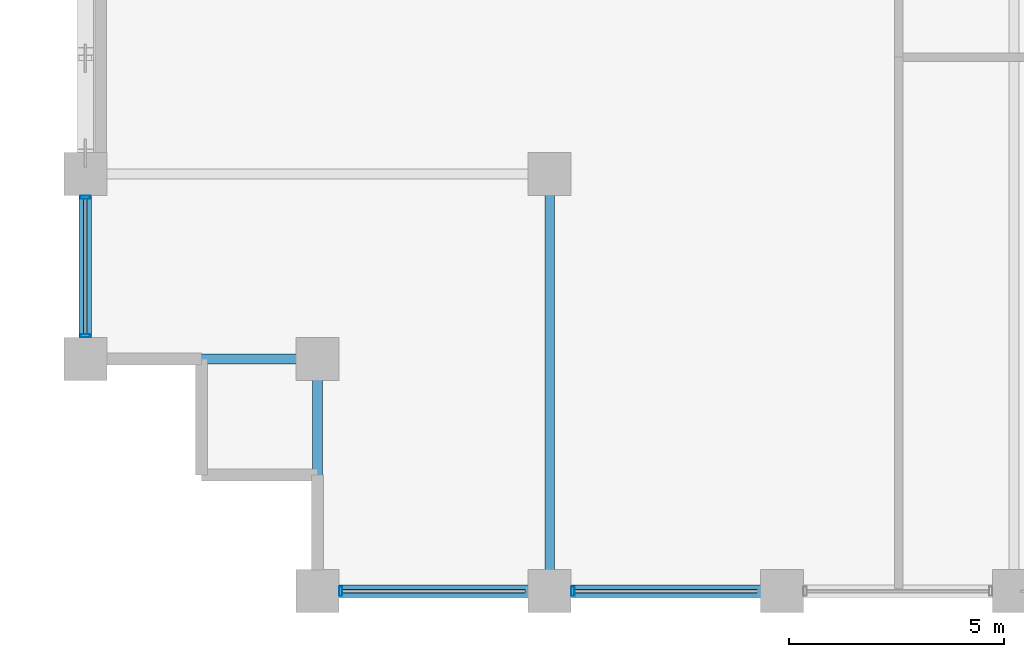
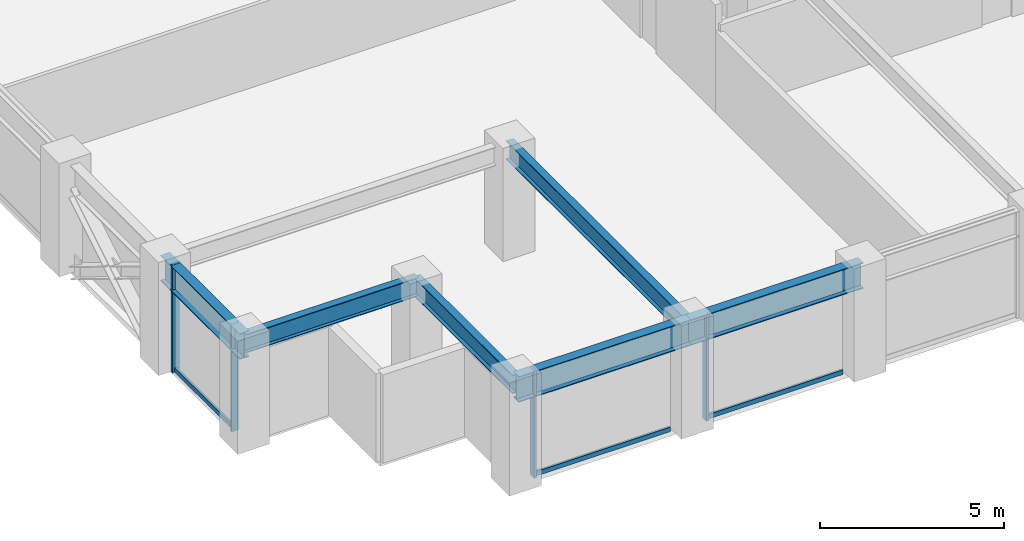
# One storey, part 2 of 25: 7 members, 6 beams, 2 elements without a shape of their own.
"""IFC4 building model written with IfcOpenShell, lengths in metres."""

from ifc_helpers import new_model, si_unit, direction, frame, origin, origin_2d, place, context, subcontext, project, spatial, hollow_rectangle, i_section, extrude, material, layer, layer_set, material_profile, profile_set, type_object, element, aggregate, save


model = new_model("IFC4")

# Units and contexts
model_context = context("Model", 3, precision=1e-05, world=origin(), true_north=direction((0.0, 1.0)))
body_context = subcontext(model_context, "Body", "Model", "MODEL_VIEW")
ifc_project = project(units=[si_unit("LENGTHUNIT", "METRE"), si_unit("AREAUNIT", "SQUARE_METRE"), si_unit("VOLUMEUNIT", "CUBIC_METRE"), si_unit("PLANEANGLEUNIT", "RADIAN"), si_unit("MASSUNIT", "GRAM", prefix="KILO")], contexts=[model_context])

# Site, building, storey
site_placement = place(None, origin())
site = spatial("IfcSite", under=ifc_project, at=site_placement, CompositionType="ELEMENT")
building_placement = place(site_placement, origin())
building = spatial("IfcBuilding", under=site, at=building_placement, Name="Surkhivell Harbour Commons", CompositionType="ELEMENT")
storey_placement = place(building_placement, frame((0.0, 0.0, 139.5)))
storey = spatial("IfcBuildingStorey", under=building, at=storey_placement, Name="L36", CompositionType="ELEMENT", Elevation=139.5)

# Beams
ifc_material_1 = material(Name="Steel S355", Category="steel")
ifc_material_profile_1 = material_profile(ifc_material_1, i_section(OverallWidth=0.22998046875, OverallDepth=0.616943359375, WebThickness=0.01318359375, FlangeThickness=0.022216796875, at=origin_2d()), Name="UB610x229x140")
ifc_profile_set_1 = profile_set([ifc_material_profile_1], Name="Steel S355")
beam_type_1 = type_object("IfcBeamType", Name="BM-GRD-610B", PredefinedType="BEAM", material=ifc_profile_set_1)
for number, where, z_axis, x_axis, name in (
    (1, (-32.39990234375, -20.5, 3.261474609375), (1.0, 0.0, 0.0), (0.0, 1.0, 0.0), "L36 Floor Girder (-32.4,-20.5)"),
    (2, (-27.0, -25.89990234375, 3.261474609375), (0.0, 1.0, 0.0), (-1.0, 0.0, 0.0), "L36 Floor Girder (-27.0,-25.9)"),
):
    element("IfcBeam", number, at=place(storey_placement, frame(where, z_axis=z_axis, x_axis=x_axis)), inside=storey, type_object=beam_type_1, Name=name, PredefinedType="BEAM", context=body_context, shape_type="SweptSolid", body=[
        extrude(i_section(OverallWidth=0.22998046875, OverallDepth=0.616943359375, WebThickness=0.01318359375, FlangeThickness=0.022216796875, at=origin_2d()), origin(), (0.0, 0.0, 1.0), 5.39990234375),
    ])
beam_1_placement = place(storey_placement, frame((-21.60009765625, -25.89990234375, 3.261474609375), z_axis=(0.0, 1.0, 0.0), x_axis=(-1.0, 0.0, 0.0)))
element("IfcBeam", 3, at=beam_1_placement, inside=storey, type_object=beam_type_1, Name="L36 Floor Girder (-21.6,-25.9)", PredefinedType="BEAM", context=body_context, shape_type="SweptSolid", body=[
    extrude(i_section(OverallWidth=0.22998046875, OverallDepth=0.616943359375, WebThickness=0.01318359375, FlangeThickness=0.022216796875, at=origin_2d()), origin(), (0.0, 0.0, 1.0), 9.699951171875),
])
ifc_material_2 = material(Name="Steel S460", Category="steel")
ifc_material_profile_2 = material_profile(ifc_material_2, i_section(OverallWidth=0.2939453125, OverallDepth=0.85107421875, WebThickness=0.01611328125, FlangeThickness=0.02685546875, at=origin_2d()), Name="UB838x292x226")
ifc_profile_set_2 = profile_set([ifc_material_profile_2], Name="Steel S460")
beam_type_2 = type_object("IfcBeamType", Name="BM-SPN-838", PredefinedType="SPANDREL", material=ifc_profile_set_2)
beam_2_placement = place(storey_placement, frame((-32.39990234375, -20.5, 3.14453125), z_axis=(0.0, 1.0, 0.0), x_axis=(-1.0, 0.0, 0.0)))
element("IfcBeam", 4, at=beam_2_placement, inside=storey, type_object=beam_type_2, Name="L36 Tube Spandrel (-32.4,-20.5)", PredefinedType="SPANDREL", context=body_context, shape_type="SweptSolid", body=[
    extrude(i_section(OverallWidth=0.2939453125, OverallDepth=0.85107421875, WebThickness=0.01611328125, FlangeThickness=0.02685546875, at=origin_2d()), origin(), (0.0, 0.0, 1.0), 4.300048828125),
])
beam_3_placement = place(storey_placement, frame((-27.0, -25.89990234375, 3.14453125), z_axis=(1.0, 0.0, 0.0), x_axis=(0.0, 1.0, 0.0)))
element("IfcBeam", 5, at=beam_3_placement, inside=storey, type_object=beam_type_2, Name="L36 Tube Spandrel (-27.0,-25.9)", PredefinedType="SPANDREL", context=body_context, shape_type="SweptSolid", body=[
    extrude(i_section(OverallWidth=0.2939453125, OverallDepth=0.85107421875, WebThickness=0.01611328125, FlangeThickness=0.02685546875, at=origin_2d()), origin(), (0.0, 0.0, 1.0), 5.39990234375),
])
beam_4_placement = place(storey_placement, frame((-21.60009765625, -25.89990234375, 3.14453125), z_axis=(1.0, 0.0, 0.0), x_axis=(0.0, 1.0, 0.0)))
element("IfcBeam", 6, at=beam_4_placement, inside=storey, type_object=beam_type_2, Name="L36 Tube Spandrel (-21.6,-25.9)", PredefinedType="SPANDREL", context=body_context, shape_type="SweptSolid", body=[
    extrude(i_section(OverallWidth=0.2939453125, OverallDepth=0.85107421875, WebThickness=0.01611328125, FlangeThickness=0.02685546875, at=origin_2d()), origin(), (0.0, 0.0, 1.0), 5.400146484375),
])

# Curtain wall, members
ifc_material_3 = material(Name="Anodised pale-metal aluminium and insulated glazing", Category="aluminium")
ifc_layer = layer(ifc_material_3, 0.205078125)
ifc_layer_set = layer_set([ifc_layer], Name="Anodised pale-metal aluminium and insulated glazing")
curtain_wall_type = type_object("IfcCurtainWallType", Name="CW-SYS-Z2", PredefinedType="NOTDEFINED", material=ifc_layer_set)
curtain_wall_1_placement = place(storey_placement, origin())
curtain_wall_1 = element("IfcCurtainWall", 7, at=curtain_wall_1_placement, inside=storey, type_object=curtain_wall_type, Name="L36 Curtain Wall CW-L36-E00S1", PredefinedType="NOTDEFINED")
ifc_material_4 = material(Name="Anodised pale-metal aluminium alloy 6063-T6", Category="aluminium")
ifc_material_profile_3 = material_profile(ifc_material_4, hollow_rectangle(XDim=0.074951171875, YDim=0.219970703125, WallThickness=0.00390625, at=origin_2d()), Name="ALU-MULL-75x220")
ifc_profile_set_3 = profile_set([ifc_material_profile_3], Name="Anodised pale-metal aluminium alloy 6063-T6")
member_type_1 = type_object("IfcMemberType", Name="CWM-220", PredefinedType="MULLION", material=ifc_profile_set_3)
member_1_placement = place(storey_placement, frame((-26.46044921875, -25.89990234375, 0.0), z_axis=(0.0, 0.0, 1.0), x_axis=(1.0, 0.0, 0.0)))
member_1 = element("IfcMember", 8, at=member_1_placement, type_object=member_type_1, Name="CW-Z2 mullion 1", PredefinedType="MULLION", context=body_context, shape_type="SweptSolid", body=[
    extrude(hollow_rectangle(XDim=0.074951171875, YDim=0.219970703125, WallThickness=0.00390625, at=origin_2d()), origin(), (0.0, 0.0, 1.0), 3.570068359375),
])
member_2_placement = place(storey_placement, frame((-21.060546875, -25.89990234375, 0.0), z_axis=(0.0, 0.0, 1.0), x_axis=(1.0, 0.0, 0.0)))
member_2 = element("IfcMember", 9, at=member_2_placement, type_object=member_type_1, Name="CW-Z2 mullion 2", PredefinedType="MULLION", context=body_context, shape_type="SweptSolid", body=[
    extrude(hollow_rectangle(XDim=0.074951171875, YDim=0.219970703125, WallThickness=0.00390625, at=origin_2d()), origin(), (0.0, 0.0, 1.0), 3.570068359375),
])

curtain_wall_2_placement = place(storey_placement, origin())
curtain_wall_2 = element("IfcCurtainWall", 10, at=curtain_wall_2_placement, inside=storey, type_object=curtain_wall_type, Name="L36 Curtain Wall CW-L36-E12R1S1", PredefinedType="NOTDEFINED")
member_3_placement = place(storey_placement, frame((-32.39990234375, -19.96044921875, 0.0), z_axis=(0.0, 0.0, 1.0), x_axis=(0.0, 1.0, 0.0)))
member_3 = element("IfcMember", 11, at=member_3_placement, type_object=member_type_1, Name="CW-Z2 mullion 1", PredefinedType="MULLION", context=body_context, shape_type="SweptSolid", body=[
    extrude(hollow_rectangle(XDim=0.074951171875, YDim=0.219970703125, WallThickness=0.00390625, at=origin_2d()), origin(), (0.0, 0.0, 1.0), 3.570068359375),
])
member_4_placement = place(storey_placement, frame((-32.39990234375, -16.739501953125, 0.0), z_axis=(0.0, 0.0, 1.0), x_axis=(0.0, 1.0, 0.0)))
member_4 = element("IfcMember", 12, at=member_4_placement, type_object=member_type_1, Name="CW-Z2 mullion 2", PredefinedType="MULLION", context=body_context, shape_type="SweptSolid", body=[
    extrude(hollow_rectangle(XDim=0.074951171875, YDim=0.219970703125, WallThickness=0.00390625, at=origin_2d()), origin(), (0.0, 0.0, 1.0), 3.570068359375),
])

# Member
ifc_material_profile_4 = material_profile(ifc_material_4, hollow_rectangle(XDim=0.074951171875, YDim=0.14990234375, WallThickness=0.00341796875, at=origin_2d()), Name="ALU-TRAN-75x150")
ifc_profile_set_4 = profile_set([ifc_material_profile_4], Name="Anodised pale-metal aluminium alloy 6063-T6")
member_type_2 = type_object("IfcMemberType", Name="CWT-150", PredefinedType="USERDEFINED", material=ifc_profile_set_4)
member_5_placement = place(storey_placement, frame((-26.423095703125, -25.89990234375, 0.074951171875), z_axis=(1.0, 0.0, 0.0), x_axis=(0.0, 1.0, 0.0)))
member_5 = element("IfcMember", 13, at=member_5_placement, type_object=member_type_2, Name="CW-Z2 transom 1.1", ObjectType="TRANSOM", PredefinedType="USERDEFINED", context=body_context, shape_type="SweptSolid", body=[
    extrude(hollow_rectangle(XDim=0.074951171875, YDim=0.14990234375, WallThickness=0.00341796875, at=origin_2d()), origin(), (0.0, 0.0, 1.0), 4.24609375),
])

member_6_placement = place(storey_placement, frame((-21.02294921875, -25.89990234375, 0.074951171875), z_axis=(1.0, 0.0, 0.0), x_axis=(0.0, 1.0, 0.0)))
member_6 = element("IfcMember", 14, at=member_6_placement, type_object=member_type_2, Name="CW-Z2 transom 2.1", ObjectType="TRANSOM", PredefinedType="USERDEFINED", context=body_context, shape_type="SweptSolid", body=[
    extrude(hollow_rectangle(XDim=0.074951171875, YDim=0.14990234375, WallThickness=0.00341796875, at=origin_2d()), origin(), (0.0, 0.0, 1.0), 4.245849609375),
])

aggregate(curtain_wall_1, [member_1, member_5, member_2, member_6])

member_7_placement = place(storey_placement, frame((-32.39990234375, -19.923095703125, 0.074951171875), z_axis=(0.0, 1.0, 0.0), x_axis=(-1.0, 0.0, 0.0)))
member_7 = element("IfcMember", 15, at=member_7_placement, type_object=member_type_2, Name="CW-Z2 transom 1.1", ObjectType="TRANSOM", PredefinedType="USERDEFINED", context=body_context, shape_type="SweptSolid", body=[
    extrude(hollow_rectangle(XDim=0.074951171875, YDim=0.14990234375, WallThickness=0.00341796875, at=origin_2d()), origin(), (0.0, 0.0, 1.0), 3.14599609375),
])

aggregate(curtain_wall_2, [member_3, member_4, member_7])

save(model, "model.ifc")
